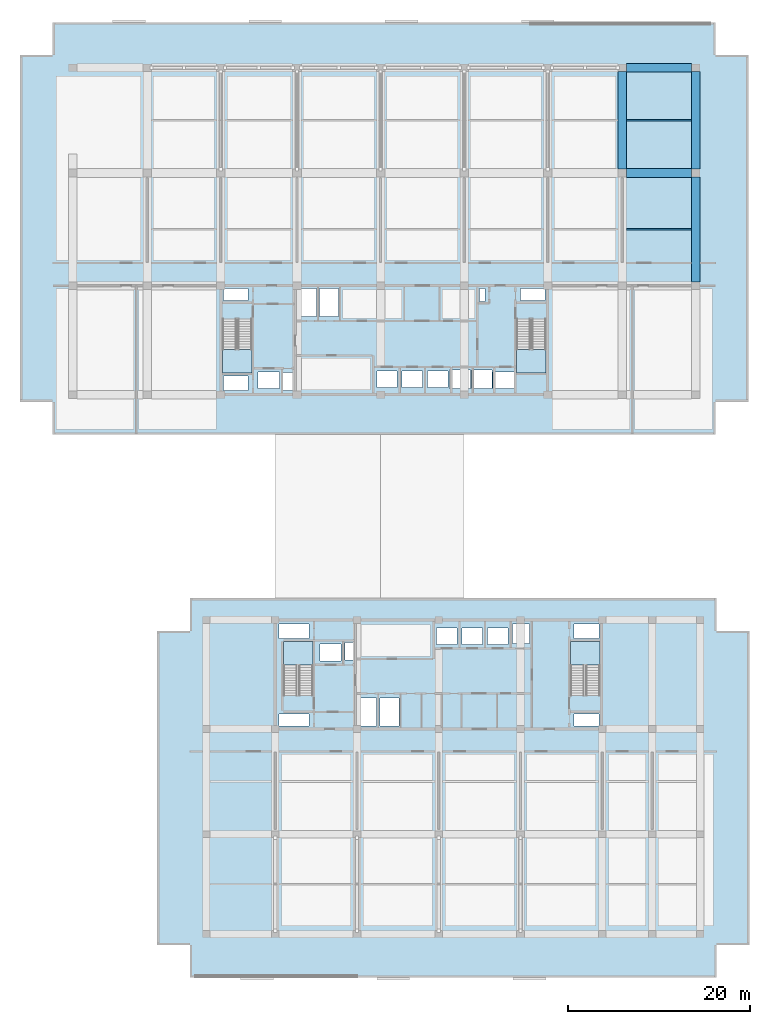
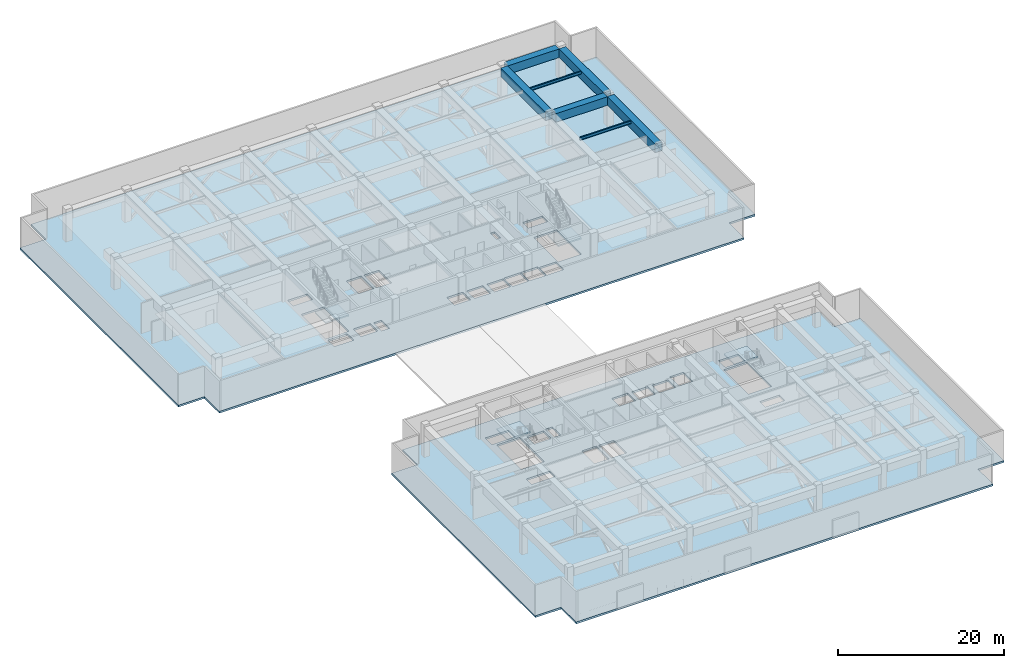
# One storey, part 3 of 22: 7 beams, 6 slabs, 4 elements without a shape of their own.
"""IFC4 building model written with IfcOpenShell, lengths in metres."""

from ifc_helpers import new_model, si_unit, direction, frame, origin, origin_2d, place, context, subcontext, project, spatial, polyline, rectangle, i_section, outline, extrude, material, layer, layer_set, material_profile, profile_set, type_object, element, aggregate, save


model = new_model("IFC4")

# Units and contexts
model_context = context("Model", 3, precision=1e-05, world=origin(), true_north=direction((0.0, 1.0)))
body_context = subcontext(model_context, "Body", "Model", "MODEL_VIEW")
ifc_project = project(units=[si_unit("LENGTHUNIT", "METRE"), si_unit("AREAUNIT", "SQUARE_METRE"), si_unit("VOLUMEUNIT", "CUBIC_METRE"), si_unit("PLANEANGLEUNIT", "RADIAN"), si_unit("MASSUNIT", "GRAM", prefix="KILO")], contexts=[model_context])

# Site, building, storey
site_placement = place(None, origin())
site = spatial("IfcSite", under=ifc_project, at=site_placement, CompositionType="ELEMENT")
building_placement = place(site_placement, origin())
building = spatial("IfcBuilding", under=site, at=building_placement, Name="Korimba Cascade Residences", CompositionType="ELEMENT")
storey_placement = place(building_placement, frame((0.0, 0.0, 157.300048828125)))
storey = spatial("IfcBuildingStorey", under=building, at=storey_placement, Name="L45", CompositionType="ELEMENT", Elevation=157.300048828125)

# Beams
ifc_material_1 = material(Name="Steel S355", Category="steel")
ifc_material_profile_1 = material_profile(ifc_material_1, i_section(OverallWidth=0.1787109375, OverallDepth=0.409423828125, WebThickness=0.0087890625, FlangeThickness=0.014404296875, FilletRadius=0.01025390625, at=origin_2d()), Name="Steel S355")
ifc_profile_set_1 = profile_set([ifc_material_profile_1], Name="Steel S355")
beam_type_1 = type_object("IfcBeamType", Name="BM-STL-UB406", PredefinedType="JOIST", material=ifc_profile_set_1)
for number, where, z_axis, x_axis, name in (
    (1, (120.77490234375, 73.39990234375, 4.275146484375), (1.0, 0.0, 0.0), (0.0, 1.0, 0.0), "L45 T1 Floor Joist 1.8"),
    (2, (120.77490234375, 85.39990234375, 4.275146484375), (1.0, 0.0, 0.0), (0.0, 1.0, 0.0), "L45 T1 Floor Joist 2.8"),
):
    element("IfcBeam", number, at=place(storey_placement, frame(where, z_axis=z_axis, x_axis=x_axis)), inside=storey, type_object=beam_type_1, Name=name, PredefinedType="JOIST", context=body_context, shape_type="SweptSolid", body=[
        extrude(i_section(OverallWidth=0.1787109375, OverallDepth=0.409423828125, WebThickness=0.0087890625, FlangeThickness=0.014404296875, FilletRadius=0.01025390625, at=origin_2d()), origin(), (0.0, 0.0, 1.0), 7.150146484375),
    ])
ifc_material_2 = material(Name="Concrete C65/80", Category="concrete")
ifc_material_profile_2 = material_profile(ifc_material_2, rectangle(XDim=0.949951171875, YDim=1.25, at=origin_2d()), Name="Concrete C65/80")
ifc_profile_set_2 = profile_set([ifc_material_profile_2], Name="Concrete C65/80")
beam_type_2 = type_object("IfcBeamType", Name="BM-TRF-1250", PredefinedType="T_BEAM", material=ifc_profile_set_2)
for number, where, z_axis, x_axis, name in (
    (3, (120.77490234375, 79.60009765625, 3.85498046875), (1.0, 0.0, 0.0), (0.0, 1.0, 0.0), "L45 T1 E-W Girder Y3 Bay 8"),
    (4, (120.77490234375, 91.199951171875, 3.85498046875), (1.0, 0.0, 0.0), (0.0, 1.0, 0.0), "L45 T1 E-W Girder Y4 Bay 8"),
):
    element("IfcBeam", number, at=place(storey_placement, frame(where, z_axis=z_axis, x_axis=x_axis)), inside=storey, type_object=beam_type_2, Name=name, PredefinedType="T_BEAM", context=body_context, shape_type="SweptSolid", body=[
        extrude(rectangle(XDim=0.949951171875, YDim=1.25, at=origin_2d()), origin(), (0.0, 0.0, 1.0), 7.150146484375),
    ])
beam_1_placement = place(storey_placement, frame((120.300048828125, 80.02490234375, 3.85498046875), z_axis=(0.0, 1.0, 0.0), x_axis=(-1.0, 0.0, 0.0)))
element("IfcBeam", 5, at=beam_1_placement, inside=storey, type_object=beam_type_2, Name="L45 T1 N-S Girder X8 Seg 3", PredefinedType="T_BEAM", context=body_context, shape_type="SweptSolid", body=[
    extrude(rectangle(XDim=0.949951171875, YDim=1.25, at=origin_2d()), origin(), (0.0, 0.0, 1.0), 10.75),
])
beam_2_placement = place(storey_placement, frame((128.39990234375, 67.625, 3.85498046875), z_axis=(0.0, 1.0, 0.0), x_axis=(-1.0, 0.0, 0.0)))
element("IfcBeam", 6, at=beam_2_placement, inside=storey, type_object=beam_type_2, Name="L45 T1 N-S Girder X9 Seg 2", PredefinedType="T_BEAM", context=body_context, shape_type="SweptSolid", body=[
    extrude(rectangle(XDim=0.949951171875, YDim=1.25, at=origin_2d()), origin(), (0.0, 0.0, 1.0), 11.550048828125),
])
beam_3_placement = place(storey_placement, frame((128.39990234375, 80.02490234375, 3.85498046875), z_axis=(0.0, 1.0, 0.0), x_axis=(-1.0, 0.0, 0.0)))
element("IfcBeam", 7, at=beam_3_placement, inside=storey, type_object=beam_type_2, Name="L45 T1 N-S Girder X9 Seg 3", PredefinedType="T_BEAM", context=body_context, shape_type="SweptSolid", body=[
    extrude(rectangle(XDim=0.949951171875, YDim=1.25, at=origin_2d()), origin(), (0.0, 0.0, 1.0), 10.75),
])

# Stair, slab
ifc_material_3 = material(Name="Concrete C50/60", Category="concrete")
stair_type_1 = type_object("IfcStairType", Name="STR-W1-26R-1846", PredefinedType="HALF_TURN_STAIR", material=ifc_material_3)
stair_1_placement = place(storey_placement, origin())
stair_1 = element("IfcStair", 8, at=stair_1_placement, inside=storey, type_object=stair_type_1, Name="L45 Tower 1 West Fire Stair ST-W1", PredefinedType="HALF_TURN_STAIR")
ifc_layer_1 = layer(ifc_material_3, 0.199951171875)
ifc_layer_set_1 = layer_set([ifc_layer_1], Name="Concrete C50/60")
slab_type_1 = type_object("IfcSlabType", Name="SLB-LND-220", PredefinedType="LANDING", material=ifc_layer_set_1)
slab_1_placement = place(storey_placement, frame((0.0, 0.0, 2.199951171875)))
slab_1 = element("IfcSlab", 9, at=slab_1_placement, type_object=slab_type_1, Name="ST-W1 landing 1", PredefinedType="LANDING", context=body_context, shape_type="SweptSolid", body=[
    extrude(outline(polyline([(76.300048828125, 60.18994140625), (76.300048828125, 57.60009765625), (79.5400390625, 57.60009765625), (79.5400390625, 60.18994140625), (76.300048828125, 60.18994140625)])), origin(), (0.0, 0.0, 1.0), 0.199951171875),
])
aggregate(stair_1, [slab_1])

stair_type_2 = type_object("IfcStairType", Name="STR-W2-26R-1846", PredefinedType="HALF_TURN_STAIR", material=ifc_material_3)
stair_2_placement = place(storey_placement, origin())
stair_2 = element("IfcStair", 10, at=stair_2_placement, inside=storey, type_object=stair_type_2, Name="L45 Tower 1 East Fire Stair ST-W2", PredefinedType="HALF_TURN_STAIR")
slab_2_placement = place(storey_placement, frame((0.0, 0.0, 2.199951171875)))
slab_2 = element("IfcSlab", 11, at=slab_2_placement, type_object=slab_type_1, Name="ST-W2 landing 1", PredefinedType="LANDING", context=body_context, shape_type="SweptSolid", body=[
    extrude(outline(polyline([(108.659912109375, 60.18994140625), (108.659912109375, 57.60009765625), (111.89990234375, 57.60009765625), (111.89990234375, 60.18994140625), (108.659912109375, 60.18994140625)])), origin(), (0.0, 0.0, 1.0), 0.199951171875),
])
aggregate(stair_2, [slab_2])

stair_type_3 = type_object("IfcStairType", Name="STR-E1-26R-1846", PredefinedType="HALF_TURN_STAIR", material=ifc_material_3)
stair_3_placement = place(storey_placement, origin())
stair_3 = element("IfcStair", 12, at=stair_3_placement, inside=storey, type_object=stair_type_3, Name="L45 Tower 2 West Fire Stair ST-E1", PredefinedType="HALF_TURN_STAIR")
slab_3_placement = place(storey_placement, frame((0.0, 0.0, 2.199951171875)))
slab_3 = element("IfcSlab", 13, at=slab_3_placement, type_object=slab_type_1, Name="ST-E1 landing 1", PredefinedType="LANDING", context=body_context, shape_type="SweptSolid", body=[
    extrude(outline(polyline([(86.239990234375, 25.409912109375), (86.239990234375, 28.0), (83.0, 28.0), (83.0, 25.409912109375), (86.239990234375, 25.409912109375)])), origin(), (0.0, 0.0, 1.0), 0.199951171875),
])
aggregate(stair_3, [slab_3])

stair_type_4 = type_object("IfcStairType", Name="STR-E2-26R-1846", PredefinedType="HALF_TURN_STAIR", material=ifc_material_3)
stair_4_placement = place(storey_placement, origin())
stair_4 = element("IfcStair", 14, at=stair_4_placement, inside=storey, type_object=stair_type_4, Name="L45 Tower 2 East Fire Stair ST-E2", PredefinedType="HALF_TURN_STAIR")
slab_4_placement = place(storey_placement, frame((0.0, 0.0, 2.199951171875)))
slab_4 = element("IfcSlab", 15, at=slab_4_placement, type_object=slab_type_1, Name="ST-E2 landing 1", PredefinedType="LANDING", context=body_context, shape_type="SweptSolid", body=[
    extrude(outline(polyline([(117.840087890625, 25.409912109375), (117.840087890625, 28.0), (114.60009765625, 28.0), (114.60009765625, 25.409912109375), (117.840087890625, 25.409912109375)])), origin(), (0.0, 0.0, 1.0), 0.199951171875),
])
aggregate(stair_4, [slab_4])

# Slabs
ifc_layer_2 = layer(ifc_material_3, 0.280029296875)
ifc_layer_set_2 = layer_set([ifc_layer_2], Name="Concrete C50/60")
slab_type_2 = type_object("IfcSlabType", Name="SLB-REF-280", PredefinedType="FLOOR", material=ifc_layer_set_2)
slab_5_placement = place(storey_placement, frame((0.0, 0.0, -0.280029296875)))
element("IfcSlab", 16, at=slab_5_placement, inside=storey, type_object=slab_type_2, Name="L45 Tower 1 Floor Slab", PredefinedType="FLOOR", context=body_context, shape_type="SweptSolid", body=[
    extrude(outline(polyline([(57.60009765625, 50.800048828125), (130.60009765625, 50.800048828125), (130.60009765625, 54.39990234375), (134.199951171875, 54.39990234375), (134.199951171875, 92.60009765625), (130.60009765625, 92.60009765625), (130.60009765625, 96.199951171875), (57.60009765625, 96.199951171875), (57.60009765625, 92.60009765625), (54.0, 92.60009765625), (54.0, 54.39990234375), (57.60009765625, 54.39990234375), (57.60009765625, 50.800048828125)]), holes=[polyline([(76.300048828125, 63.514892578125), (76.300048828125, 57.60009765625), (79.5400390625, 57.60009765625), (79.5400390625, 63.514892578125), (76.300048828125, 63.514892578125)]), polyline([(108.659912109375, 63.514892578125), (108.659912109375, 57.60009765625), (111.89990234375, 57.60009765625), (111.89990234375, 63.514892578125), (108.659912109375, 63.514892578125)]), polyline([(80.22998046875, 55.8798828125), (82.570068359375, 55.8798828125), (82.570068359375, 57.719970703125), (80.22998046875, 57.719970703125), (80.22998046875, 55.8798828125)]), polyline([(106.080078125, 55.8798828125), (108.419921875, 55.8798828125), (108.419921875, 57.719970703125), (106.080078125, 57.719970703125), (106.080078125, 55.8798828125)]), polyline([(93.280029296875, 55.97998046875), (95.52001953125, 55.97998046875), (95.52001953125, 57.820068359375), (93.280029296875, 57.820068359375), (93.280029296875, 55.97998046875)]), polyline([(96.080078125, 55.97998046875), (98.320068359375, 55.97998046875), (98.320068359375, 57.820068359375), (96.080078125, 57.820068359375), (96.080078125, 55.97998046875)]), polyline([(98.8798828125, 55.97998046875), (101.1201171875, 55.97998046875), (101.1201171875, 57.820068359375), (98.8798828125, 57.820068359375), (98.8798828125, 55.97998046875)]), polyline([(101.304931640625, 55.8798828125), (103.594970703125, 55.8798828125), (103.594970703125, 57.919921875), (101.304931640625, 57.919921875), (101.304931640625, 55.8798828125)]), polyline([(103.705078125, 55.8798828125), (105.9951171875, 55.8798828125), (105.9951171875, 57.919921875), (103.705078125, 57.919921875), (103.705078125, 55.8798828125)]), polyline([(82.97998046875, 55.679931640625), (84.080078125, 55.679931640625), (84.080078125, 57.6201171875), (82.97998046875, 57.6201171875), (82.97998046875, 55.679931640625)]), polyline([(76.39990234375, 65.56005859375), (79.10009765625, 65.56005859375), (79.10009765625, 66.8798828125), (76.39990234375, 66.8798828125), (76.39990234375, 65.56005859375)]), polyline([(76.39990234375, 55.679931640625), (79.10009765625, 55.679931640625), (79.10009765625, 57.239990234375), (76.39990234375, 57.239990234375), (76.39990234375, 55.679931640625)]), polyline([(84.530029296875, 63.820068359375), (86.6201171875, 63.820068359375), (86.6201171875, 66.8798828125), (84.530029296875, 66.8798828125), (84.530029296875, 63.820068359375)]), polyline([(86.97998046875, 63.820068359375), (89.070068359375, 63.820068359375), (89.070068359375, 66.8798828125), (86.97998046875, 66.8798828125), (86.97998046875, 63.820068359375)]), polyline([(104.6201171875, 65.4599609375), (105.179931640625, 65.4599609375), (105.179931640625, 66.8798828125), (104.6201171875, 66.8798828125), (104.6201171875, 65.4599609375)]), polyline([(109.080078125, 65.56005859375), (111.800048828125, 65.56005859375), (111.800048828125, 66.8798828125), (109.080078125, 66.8798828125), (109.080078125, 65.56005859375)])]), origin(), (0.0, 0.0, 1.0), 0.280029296875),
])
slab_6_placement = place(storey_placement, frame((0.0, 0.0, -0.280029296875)))
element("IfcSlab", 17, at=slab_6_placement, inside=storey, type_object=slab_type_2, Name="L45 Tower 2 Floor Slab", PredefinedType="FLOOR", context=body_context, shape_type="SweptSolid", body=[
    extrude(outline(polyline([(72.699951171875, -9.0), (130.699951171875, -9.0), (130.699951171875, -5.39990234375), (134.300048828125, -5.39990234375), (134.300048828125, 29.199951171875), (130.699951171875, 29.199951171875), (130.699951171875, 32.800048828125), (72.699951171875, 32.800048828125), (72.699951171875, 29.199951171875), (69.10009765625, 29.199951171875), (69.10009765625, -5.39990234375), (72.699951171875, -5.39990234375), (72.699951171875, -9.0)]), holes=[polyline([(86.239990234375, 22.0849609375), (86.239990234375, 28.0), (83.0, 28.0), (83.0, 22.0849609375), (86.239990234375, 22.0849609375)]), polyline([(117.840087890625, 22.0849609375), (117.840087890625, 28.0), (114.60009765625, 28.0), (114.60009765625, 22.0849609375), (117.840087890625, 22.0849609375)]), polyline([(87.030029296875, 25.8798828125), (89.3701171875, 25.8798828125), (89.3701171875, 27.719970703125), (87.030029296875, 27.719970703125), (87.030029296875, 25.8798828125)]), polyline([(99.8798828125, 27.679931640625), (102.1201171875, 27.679931640625), (102.1201171875, 29.52001953125), (99.8798828125, 29.52001953125), (99.8798828125, 27.679931640625)]), polyline([(102.679931640625, 27.679931640625), (104.919921875, 27.679931640625), (104.919921875, 29.52001953125), (102.679931640625, 29.52001953125), (102.679931640625, 27.679931640625)]), polyline([(105.47998046875, 27.679931640625), (107.719970703125, 27.679931640625), (107.719970703125, 29.52001953125), (105.47998046875, 29.52001953125), (105.47998046875, 27.679931640625)]), polyline([(89.780029296875, 25.97998046875), (90.719970703125, 25.97998046875), (90.719970703125, 27.919921875), (89.780029296875, 27.919921875), (89.780029296875, 25.97998046875)]), polyline([(82.530029296875, 18.72998046875), (85.800048828125, 18.72998046875), (85.800048828125, 20.0400390625), (82.530029296875, 20.0400390625), (82.530029296875, 18.72998046875)]), polyline([(82.530029296875, 28.360107421875), (85.800048828125, 28.360107421875), (85.800048828125, 29.969970703125), (82.530029296875, 29.969970703125), (82.530029296875, 28.360107421875)]), polyline([(108.22998046875, 27.780029296875), (110.1201171875, 27.780029296875), (110.1201171875, 29.969970703125), (108.22998046875, 29.969970703125), (108.22998046875, 27.780029296875)]), polyline([(91.22998046875, 18.72998046875), (93.27001953125, 18.72998046875), (93.27001953125, 21.780029296875), (91.22998046875, 21.780029296875), (91.22998046875, 18.72998046875)]), polyline([(93.6298828125, 18.72998046875), (95.719970703125, 18.72998046875), (95.719970703125, 21.780029296875), (93.6298828125, 21.780029296875), (93.6298828125, 18.72998046875)]), polyline([(115.02001953125, 18.72998046875), (117.739990234375, 18.72998046875), (117.739990234375, 20.0400390625), (115.02001953125, 20.0400390625), (115.02001953125, 18.72998046875)]), polyline([(115.02001953125, 28.360107421875), (117.739990234375, 28.360107421875), (117.739990234375, 29.969970703125), (115.02001953125, 29.969970703125), (115.02001953125, 28.360107421875)])]), origin(), (0.0, 0.0, 1.0), 0.280029296875),
])

save(model, "model.ifc")
